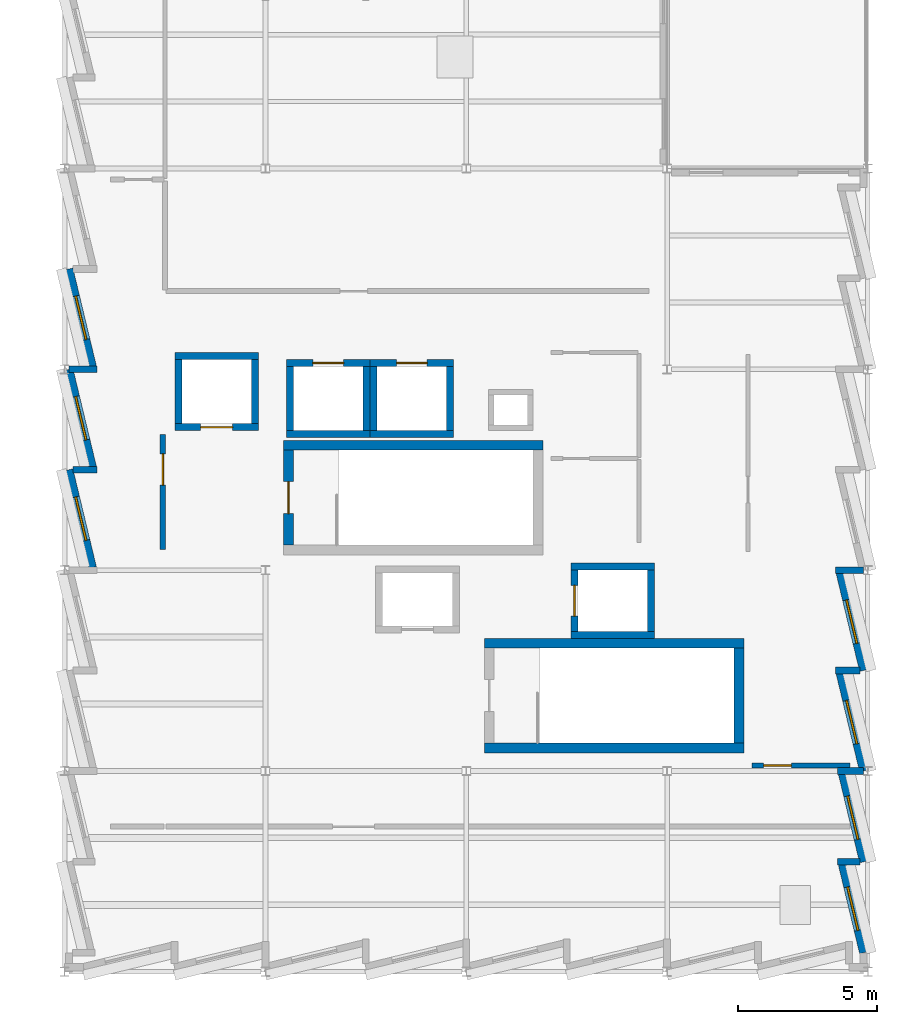
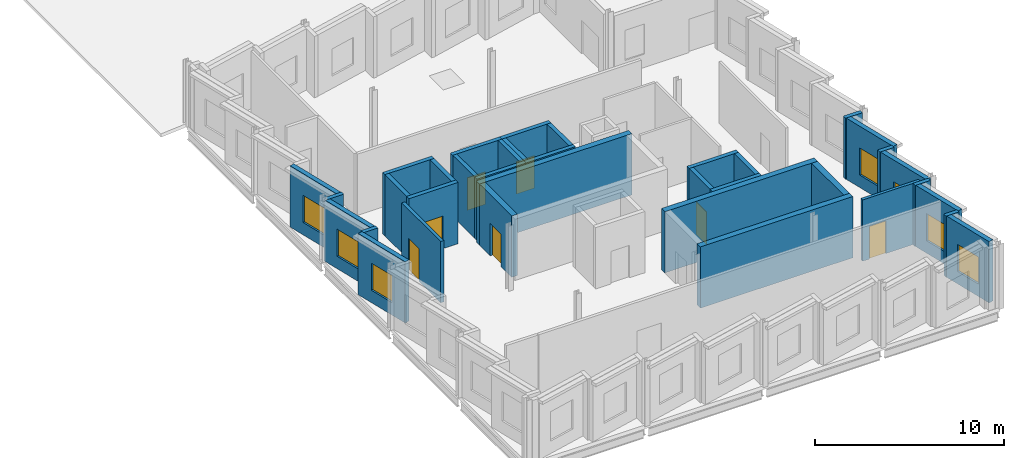
# One storey, part 6 of 9: 36 walls, 7 doors, 7 windows, 14 openings.
"""IFC4 building model written with IfcOpenShell, lengths in metres."""

from ifc_helpers import new_model, si_unit, direction, frame, frame_2d, origin, place, context, subcontext, project, spatial, rectangle, extrude, material, layer, layer_set, type_object, element, fill, save


model = new_model("IFC4")

# Units and contexts
model_context = context("Model", 3, precision=1e-05, world=origin(), true_north=direction((0.0, 1.0)))
body_context = subcontext(model_context, "Body", "Model", "MODEL_VIEW")
ifc_project = project(units=[si_unit("LENGTHUNIT", "METRE"), si_unit("AREAUNIT", "SQUARE_METRE"), si_unit("VOLUMEUNIT", "CUBIC_METRE"), si_unit("PLANEANGLEUNIT", "RADIAN"), si_unit("MASSUNIT", "GRAM", prefix="KILO")], contexts=[model_context])

# Site, building, storey
site_placement = place(None, origin())
site = spatial("IfcSite", under=ifc_project, at=site_placement, CompositionType="ELEMENT")
building_placement = place(site_placement, origin())
building = spatial("IfcBuilding", under=site, at=building_placement, Name="Kalmorath City Hall", CompositionType="ELEMENT")
storey_placement = place(building_placement, frame((0.0, 0.0, 31.050048828125)))
storey = spatial("IfcBuildingStorey", under=building, at=storey_placement, Name="L07", CompositionType="ELEMENT", Elevation=31.050048828125)

# Wall
ifc_material_1 = material(Name="Concrete C50/60", Category="concrete")
ifc_layer_1 = layer(ifc_material_1, 0.35009765625)
ifc_layer_set_1 = layer_set([ifc_layer_1], Name="Concrete C50/60")
wall_type_1 = type_object("IfcWallType", Name="Concrete core shear wall 350", PredefinedType="SHEAR", material=ifc_layer_set_1)
wall_1_placement = place(storey_placement, frame((17.14990234375, 18.875, 0.0), z_axis=(0.0, 0.0, 1.0), x_axis=(-1.0, 0.0, 0.0)))
element("IfcWall", 1, at=wall_1_placement, inside=storey, type_object=wall_type_1, Name="L07 C1 stair core shear wall N", PredefinedType="SHEAR", context=body_context, shape_type="SweptSolid", body=[
    extrude(rectangle(XDim=9.2998046875, YDim=0.35009765625, at=frame_2d((4.64990234375, 0.0))), origin(), (0.0, 0.0, 1.0), 3.949951171875),
])

# Wall, opening, door
wall_2_placement = place(storey_placement, frame((8.02490234375, 18.699951171875, 0.0), z_axis=(0.0, 0.0, 1.0), x_axis=(0.0, -1.0, 0.0)))
wall_2 = element("IfcWall", 2, at=wall_2_placement, inside=storey, type_object=wall_type_1, Name="L07 C1 stair core shear wall W", PredefinedType="SHEAR", context=body_context, shape_type="SweptSolid", body=[
    extrude(rectangle(XDim=3.39990234375, YDim=0.35009765625, at=frame_2d((1.699951171875, 0.0))), origin(), (0.0, 0.0, 1.0), 3.949951171875),
])
opening_1_placement = place(wall_2_placement, frame((1.125, 0.0, 0.0)))
opening_1 = element("IfcOpeningElement", 3, at=opening_1_placement, cuts=wall_2, Name="Opening D-L07-009", PredefinedType="OPENING", context=body_context, shape_type="SweptSolid", body=[
    extrude(rectangle(XDim=1.14990234375, YDim=2.10009765625, at=frame_2d((0.574951171875, 1.050048828125))), frame((0.0, 0.18505859375, 0.0), z_axis=(0.0, -1.0, 0.0), x_axis=(1.0, 0.0, 0.0)), (0.0, 0.0, 1.0), 0.3701171875),
])
ifc_material_2 = material(Name="Galvanised steel fire door", Category="steel")
door_type_1 = type_object("IfcDoorType", Name="Stair enclosure 90-min fire door 1150x2100", OperationType="NOTDEFINED", PredefinedType="DOOR", material=ifc_material_2)
door_1_placement = place(opening_1_placement, frame((1.14990234375, 0.0, 0.0), z_axis=(0.0, 0.0, 1.0), x_axis=(-1.0, 0.0, 0.0)))
door_1 = element("IfcDoor", 4, at=door_1_placement, inside=storey, type_object=door_type_1, Name="L07 door D-L07-009", OperationType="SINGLE_SWING_LEFT", OverallHeight=2.10009765625, OverallWidth=1.14990234375, PredefinedType="DOOR", context=body_context, shape_type="SweptSolid", body=[
    extrude(rectangle(XDim=1.14990234375, YDim=2.10009765625, at=frame_2d((0.574951171875, 1.050048828125))), frame((0.0, 0.02490234375, 0.0), z_axis=(0.0, -1.0, 0.0), x_axis=(1.0, 0.0, 0.0)), (0.0, 0.0, 1.0), 0.050048828125),
])
fill(opening_1, door_1)

# Walls
for number, where, z_axis, x_axis, name in (
    (5, (15.050048828125, 8.02490234375, 0.0), (0.0, 0.0, 1.0), (1.0, 0.0, 0.0), "L07 C2 stair core shear wall S"),
    (6, (24.35009765625, 11.77490234375, 0.0), (0.0, 0.0, 1.0), (-1.0, 0.0, 0.0), "L07 C2 stair core shear wall N"),
):
    element("IfcWall", number, at=place(storey_placement, frame(where, z_axis=z_axis, x_axis=x_axis)), inside=storey, type_object=wall_type_1, Name=name, PredefinedType="SHEAR", context=body_context, shape_type="SweptSolid", body=[
        extrude(rectangle(XDim=9.300048828125, YDim=0.35009765625, at=frame_2d((4.64990234375, 0.0))), origin(), (0.0, 0.0, 1.0), 3.949951171875),
    ])
wall_3_placement = place(storey_placement, frame((24.175048828125, 8.199951171875, 0.0), z_axis=(0.0, 0.0, 1.0), x_axis=(0.0, 1.0, 0.0)))
element("IfcWall", 7, at=wall_3_placement, inside=storey, type_object=wall_type_1, Name="L07 C2 stair core shear wall E", PredefinedType="SHEAR", context=body_context, shape_type="SweptSolid", body=[
    extrude(rectangle(XDim=3.400146484375, YDim=0.35009765625, at=frame_2d((1.7001953125, 0.0))), origin(), (0.0, 0.0, 1.0), 3.949951171875),
])

# Wall, opening, door
ifc_material_3 = material(Name="Concrete C50/60", Category="concrete")
ifc_layer_2 = layer(ifc_material_3, 0.25)
ifc_layer_set_2 = layer_set([ifc_layer_2], Name="Concrete C50/60")
wall_type_2 = type_object("IfcWallType", Name="Concrete lift shaft wall 250", PredefinedType="SHEAR", material=ifc_layer_set_2)
wall_4_placement = place(storey_placement, frame((3.949951171875, 19.52490234375, 0.0), z_axis=(0.0, 0.0, 1.0), x_axis=(1.0, 0.0, 0.0)))
wall_4 = element("IfcWall", 8, at=wall_4_placement, inside=storey, type_object=wall_type_2, Name="L07 FL1 lift shaft wall -y", PredefinedType="SHEAR", context=body_context, shape_type="SweptSolid", body=[
    extrude(rectangle(XDim=3.0, YDim=0.25, at=frame_2d((1.5, 0.0))), origin(), (0.0, 0.0, 1.0), 3.949951171875),
])
opening_2_placement = place(wall_4_placement, frame((0.925048828125, 0.0, 0.0)))
opening_2 = element("IfcOpeningElement", 9, at=opening_2_placement, cuts=wall_4, Name="Opening LD-018", PredefinedType="OPENING", context=body_context, shape_type="SweptSolid", body=[
    extrude(rectangle(XDim=1.14990234375, YDim=2.10009765625, at=frame_2d((0.574951171875, 1.050048828125))), frame((0.0, 0.135009765625, 0.0), z_axis=(0.0, -1.0, 0.0), x_axis=(1.0, 0.0, 0.0)), (0.0, 0.0, 1.0), 0.27001953125),
])
ifc_material_4 = material(Name="Stainless steel sliding landing door", Category="steel")
door_type_2 = type_object("IfcDoorType", Name="Firefighting lift sliding landing door 1150x2100", OperationType="SLIDING_TO_RIGHT", PredefinedType="DOOR", material=ifc_material_4)
door_2_placement = place(opening_2_placement, origin())
door_2 = element("IfcDoor", 10, at=door_2_placement, inside=storey, type_object=door_type_2, Name="L07 door LD-018", OperationType="SLIDING_TO_RIGHT", OverallHeight=2.10009765625, OverallWidth=1.14990234375, PredefinedType="DOOR", context=body_context, shape_type="SweptSolid", body=[
    extrude(rectangle(XDim=1.14990234375, YDim=2.10009765625, at=frame_2d((0.574951171875, 1.050048828125))), frame((0.0, 0.02490234375, 0.0), z_axis=(0.0, -1.0, 0.0), x_axis=(1.0, 0.0, 0.0)), (0.0, 0.0, 1.0), 0.050048828125),
])
fill(opening_2, door_2)

# Walls
wall_5_placement = place(storey_placement, frame((6.949951171875, 22.074951171875, 0.0), z_axis=(0.0, 0.0, 1.0), x_axis=(-1.0, 0.0, 0.0)))
element("IfcWall", 11, at=wall_5_placement, inside=storey, type_object=wall_type_2, Name="L07 FL1 lift shaft wall +y", PredefinedType="SHEAR", context=body_context, shape_type="SweptSolid", body=[
    extrude(rectangle(XDim=3.0, YDim=0.25, at=frame_2d((1.5, 0.0))), origin(), (0.0, 0.0, 1.0), 3.949951171875),
])
for number, where, z_axis, x_axis, name in (
    (12, (4.074951171875, 21.949951171875, 0.0), (0.0, 0.0, 1.0), (0.0, -1.0, 0.0), "L07 FL1 lift shaft wall -x"),
    (13, (6.824951171875, 19.64990234375, 0.0), (0.0, 0.0, 1.0), (0.0, 1.0, 0.0), "L07 FL1 lift shaft wall +x"),
):
    element("IfcWall", number, at=place(storey_placement, frame(where, z_axis=z_axis, x_axis=x_axis)), inside=storey, type_object=wall_type_2, Name=name, PredefinedType="SHEAR", context=body_context, shape_type="SweptSolid", body=[
        extrude(rectangle(XDim=2.300048828125, YDim=0.25, at=frame_2d((1.14990234375, 0.0))), origin(), (0.0, 0.0, 1.0), 3.949951171875),
    ])
wall_6_placement = place(storey_placement, frame((7.949951171875, 19.27490234375, 0.0), z_axis=(0.0, 0.0, 1.0), x_axis=(1.0, 0.0, 0.0)))
element("IfcWall", 14, at=wall_6_placement, inside=storey, type_object=wall_type_2, Name="L07 PL1 lift shaft wall -y", PredefinedType="SHEAR", context=body_context, shape_type="SweptSolid", body=[
    extrude(rectangle(XDim=3.0, YDim=0.25, at=frame_2d((1.5, 0.0))), origin(), (0.0, 0.0, 1.0), 3.949951171875),
])

# Wall, opening, door
wall_7_placement = place(storey_placement, frame((10.949951171875, 21.824951171875, 0.0), z_axis=(0.0, 0.0, 1.0), x_axis=(-1.0, 0.0, 0.0)))
wall_7 = element("IfcWall", 15, at=wall_7_placement, inside=storey, type_object=wall_type_2, Name="L07 PL1 lift shaft wall +y", PredefinedType="SHEAR", context=body_context, shape_type="SweptSolid", body=[
    extrude(rectangle(XDim=3.0, YDim=0.25, at=frame_2d((1.5, 0.0))), origin(), (0.0, 0.0, 1.0), 3.949951171875),
])
opening_3_placement = place(wall_7_placement, frame((0.949951171875, 0.0, 0.0)))
opening_3 = element("IfcOpeningElement", 16, at=opening_3_placement, cuts=wall_7, Name="Opening LD-027", PredefinedType="OPENING", context=body_context, shape_type="SweptSolid", body=[
    extrude(rectangle(XDim=1.10009765625, YDim=2.10009765625, at=frame_2d((0.550048828125, 1.050048828125))), frame((0.0, 0.135009765625, 0.0), z_axis=(0.0, -1.0, 0.0), x_axis=(1.0, 0.0, 0.0)), (0.0, 0.0, 1.0), 0.27001953125),
])
ifc_material_5 = material(Name="Stainless steel sliding landing door", Category="steel")
door_type_3 = type_object("IfcDoorType", Name="Passenger lift sliding landing door 1100x2100", OperationType="SLIDING_TO_LEFT", PredefinedType="DOOR", material=ifc_material_5)
door_3_placement = place(opening_3_placement, origin())
door_3 = element("IfcDoor", 17, at=door_3_placement, inside=storey, type_object=door_type_3, Name="L07 door LD-027", OperationType="SLIDING_TO_LEFT", OverallHeight=2.10009765625, OverallWidth=1.10009765625, PredefinedType="DOOR", context=body_context, shape_type="SweptSolid", body=[
    extrude(rectangle(XDim=1.10009765625, YDim=2.10009765625, at=frame_2d((0.550048828125, 1.050048828125))), frame((0.0, 0.02490234375, 0.0), z_axis=(0.0, -1.0, 0.0), x_axis=(1.0, 0.0, 0.0)), (0.0, 0.0, 1.0), 0.050048828125),
])
fill(opening_3, door_3)

# Walls
for number, where, z_axis, x_axis, name in (
    (18, (8.074951171875, 21.699951171875, 0.0), (0.0, 0.0, 1.0), (0.0, -1.0, 0.0), "L07 PL1 lift shaft wall -x"),
    (19, (10.824951171875, 19.39990234375, 0.0), (0.0, 0.0, 1.0), (0.0, 1.0, 0.0), "L07 PL1 lift shaft wall +x"),
):
    element("IfcWall", number, at=place(storey_placement, frame(where, z_axis=z_axis, x_axis=x_axis)), inside=storey, type_object=wall_type_2, Name=name, PredefinedType="SHEAR", context=body_context, shape_type="SweptSolid", body=[
        extrude(rectangle(XDim=2.300048828125, YDim=0.25, at=frame_2d((1.14990234375, 0.0))), origin(), (0.0, 0.0, 1.0), 3.949951171875),
    ])
wall_8_placement = place(storey_placement, frame((10.949951171875, 19.27490234375, 0.0), z_axis=(0.0, 0.0, 1.0), x_axis=(1.0, 0.0, 0.0)))
element("IfcWall", 20, at=wall_8_placement, inside=storey, type_object=wall_type_2, Name="L07 PL2 lift shaft wall -y", PredefinedType="SHEAR", context=body_context, shape_type="SweptSolid", body=[
    extrude(rectangle(XDim=3.0, YDim=0.25, at=frame_2d((1.5, 0.0))), origin(), (0.0, 0.0, 1.0), 3.949951171875),
])

# Wall, opening, door
wall_9_placement = place(storey_placement, frame((13.949951171875, 21.824951171875, 0.0), z_axis=(0.0, 0.0, 1.0), x_axis=(-1.0, 0.0, 0.0)))
wall_9 = element("IfcWall", 21, at=wall_9_placement, inside=storey, type_object=wall_type_2, Name="L07 PL2 lift shaft wall +y", PredefinedType="SHEAR", context=body_context, shape_type="SweptSolid", body=[
    extrude(rectangle(XDim=3.0, YDim=0.25, at=frame_2d((1.5, 0.0))), origin(), (0.0, 0.0, 1.0), 3.949951171875),
])
opening_4_placement = place(wall_9_placement, frame((0.949951171875, 0.0, 0.0)))
opening_4 = element("IfcOpeningElement", 22, at=opening_4_placement, cuts=wall_9, Name="Opening LD-036", PredefinedType="OPENING", context=body_context, shape_type="SweptSolid", body=[
    extrude(rectangle(XDim=1.10009765625, YDim=2.10009765625, at=frame_2d((0.550048828125, 1.050048828125))), frame((0.0, 0.135009765625, 0.0), z_axis=(0.0, -1.0, 0.0), x_axis=(1.0, 0.0, 0.0)), (0.0, 0.0, 1.0), 0.27001953125),
])
door_4_placement = place(opening_4_placement, origin())
door_4 = element("IfcDoor", 23, at=door_4_placement, inside=storey, type_object=door_type_3, Name="L07 door LD-036", OperationType="SLIDING_TO_LEFT", OverallHeight=2.10009765625, OverallWidth=1.10009765625, PredefinedType="DOOR", context=body_context, shape_type="SweptSolid", body=[
    extrude(rectangle(XDim=1.10009765625, YDim=2.10009765625, at=frame_2d((0.550048828125, 1.050048828125))), frame((0.0, 0.02490234375, 0.0), z_axis=(0.0, -1.0, 0.0), x_axis=(1.0, 0.0, 0.0)), (0.0, 0.0, 1.0), 0.050048828125),
])
fill(opening_4, door_4)

# Walls
for number, where, z_axis, x_axis, name in (
    (24, (11.074951171875, 21.699951171875, 0.0), (0.0, 0.0, 1.0), (0.0, -1.0, 0.0), "L07 PL2 lift shaft wall -x"),
    (25, (13.824951171875, 19.39990234375, 0.0), (0.0, 0.0, 1.0), (0.0, 1.0, 0.0), "L07 PL2 lift shaft wall +x"),
):
    element("IfcWall", number, at=place(storey_placement, frame(where, z_axis=z_axis, x_axis=x_axis)), inside=storey, type_object=wall_type_2, Name=name, PredefinedType="SHEAR", context=body_context, shape_type="SweptSolid", body=[
        extrude(rectangle(XDim=2.300048828125, YDim=0.25, at=frame_2d((1.14990234375, 0.0))), origin(), (0.0, 0.0, 1.0), 3.949951171875),
    ])
for number, where, z_axis, x_axis, name in (
    (26, (18.14990234375, 12.074951171875, 0.0), (0.0, 0.0, 1.0), (1.0, 0.0, 0.0), "L07 PL3 lift shaft wall -y"),
    (27, (21.14990234375, 14.52490234375, 0.0), (0.0, 0.0, 1.0), (-1.0, 0.0, 0.0), "L07 PL3 lift shaft wall +y"),
):
    element("IfcWall", number, at=place(storey_placement, frame(where, z_axis=z_axis, x_axis=x_axis)), inside=storey, type_object=wall_type_2, Name=name, PredefinedType="SHEAR", context=body_context, shape_type="SweptSolid", body=[
        extrude(rectangle(XDim=3.0, YDim=0.25, at=frame_2d((1.5, 0.0))), origin(), (0.0, 0.0, 1.0), 3.949951171875),
    ])

# Wall, opening, door
wall_10_placement = place(storey_placement, frame((18.27490234375, 14.39990234375, 0.0), z_axis=(0.0, 0.0, 1.0), x_axis=(0.0, -1.0, 0.0)))
wall_10 = element("IfcWall", 28, at=wall_10_placement, inside=storey, type_object=wall_type_2, Name="L07 PL3 lift shaft wall -x", PredefinedType="SHEAR", context=body_context, shape_type="SweptSolid", body=[
    extrude(rectangle(XDim=2.199951171875, YDim=0.25, at=frame_2d((1.10009765625, 0.0))), origin(), (0.0, 0.0, 1.0), 3.949951171875),
])
opening_5_placement = place(wall_10_placement, frame((0.550048828125, 0.0, 0.0)))
opening_5 = element("IfcOpeningElement", 29, at=opening_5_placement, cuts=wall_10, Name="Opening LD-063", PredefinedType="OPENING", context=body_context, shape_type="SweptSolid", body=[
    extrude(rectangle(XDim=1.10009765625, YDim=2.10009765625, at=frame_2d((0.550048828125, 1.050048828125))), frame((0.0, 0.135009765625, 0.0), z_axis=(0.0, -1.0, 0.0), x_axis=(1.0, 0.0, 0.0)), (0.0, 0.0, 1.0), 0.27001953125),
])
door_5_placement = place(opening_5_placement, origin())
door_5 = element("IfcDoor", 30, at=door_5_placement, inside=storey, type_object=door_type_3, Name="L07 door LD-063", OperationType="SLIDING_TO_LEFT", OverallHeight=2.10009765625, OverallWidth=1.10009765625, PredefinedType="DOOR", context=body_context, shape_type="SweptSolid", body=[
    extrude(rectangle(XDim=1.10009765625, YDim=2.10009765625, at=frame_2d((0.550048828125, 1.050048828125))), frame((0.0, 0.02490234375, 0.0), z_axis=(0.0, -1.0, 0.0), x_axis=(1.0, 0.0, 0.0)), (0.0, 0.0, 1.0), 0.050048828125),
])
fill(opening_5, door_5)

# Wall
wall_11_placement = place(storey_placement, frame((21.02490234375, 12.199951171875, 0.0), z_axis=(0.0, 0.0, 1.0), x_axis=(0.0, 1.0, 0.0)))
element("IfcWall", 31, at=wall_11_placement, inside=storey, type_object=wall_type_2, Name="L07 PL3 lift shaft wall +x", PredefinedType="SHEAR", context=body_context, shape_type="SweptSolid", body=[
    extrude(rectangle(XDim=2.199951171875, YDim=0.25, at=frame_2d((1.10009765625, 0.0))), origin(), (0.0, 0.0, 1.0), 3.949951171875),
])

# Wall, opening, door
ifc_material_6 = material(Name="Fire-rated acoustic gypsum partition")
ifc_layer_3 = layer(ifc_material_6, 0.179931640625)
ifc_layer_set_3 = layer_set([ifc_layer_3], Name="Fire-rated acoustic gypsum partition")
wall_type_3 = type_object("IfcWallType", Name="One-hour corridor fire partition 180", PredefinedType="PARTITIONING", material=ifc_layer_set_3)
wall_12_placement = place(storey_placement, frame((24.639892578125, 7.39990234375, 0.0), z_axis=(0.0, 0.0, 1.0), x_axis=(1.0, 0.0, 0.0)))
wall_12 = element("IfcWall", 32, at=wall_12_placement, inside=storey, type_object=wall_type_3, Name="L07 interior partition PW2 #207", PredefinedType="PARTITIONING", context=body_context, shape_type="SweptSolid", body=[
    extrude(rectangle(XDim=3.52001953125, YDim=0.179931640625, at=frame_2d((1.760009765625, 0.0))), origin(), (0.0, 0.0, 1.0), 3.949951171875),
])
opening_6_placement = place(wall_12_placement, frame((0.419921875, 0.0, 0.0)))
opening_6 = element("IfcOpeningElement", 33, at=opening_6_placement, cuts=wall_12, Name="Opening D-L07-273", PredefinedType="OPENING", context=body_context, shape_type="SweptSolid", body=[
    extrude(rectangle(XDim=1.0, YDim=2.10009765625, at=frame_2d((0.5, 1.050048828125))), frame((0.0, 0.099853515625, 0.0), z_axis=(0.0, -1.0, 0.0), x_axis=(1.0, 0.0, 0.0)), (0.0, 0.0, 1.0), 0.199951171875),
])
ifc_material_7 = material(Name="Hardwood fire door", Category="wood")
door_type_4 = type_object("IfcDoorType", Name="Corridor 60-min fire door 1000x2100", OperationType="NOTDEFINED", PredefinedType="DOOR", material=ifc_material_7)
door_6_placement = place(opening_6_placement, origin())
door_6 = element("IfcDoor", 34, at=door_6_placement, inside=storey, type_object=door_type_4, Name="L07 door D-L07-273", OperationType="SINGLE_SWING_LEFT", OverallHeight=2.10009765625, OverallWidth=1.0, PredefinedType="DOOR", context=body_context, shape_type="SweptSolid", body=[
    extrude(rectangle(XDim=1.0, YDim=2.10009765625, at=frame_2d((0.5, 1.050048828125))), frame((0.0, 0.02490234375, 0.0), z_axis=(0.0, -1.0, 0.0), x_axis=(1.0, 0.0, 0.0)), (0.0, 0.0, 1.0), 0.050048828125),
])
fill(opening_6, door_6)

# Walls
ifc_material_8 = material(Name="Precast concrete C40/50", Category="concrete")
ifc_layer_4 = layer(ifc_material_8, 0.239990234375)
ifc_layer_set_4 = layer_set([ifc_layer_4], Name="Precast concrete C40/50")
wall_type_4 = type_object("IfcWallType", Name="Precast sawtooth cheek wall 240", PredefinedType="SOLIDWALL", material=ifc_layer_set_4)
wall_13_placement = place(storey_placement, frame((27.71240234375, 3.93994140625, 0.0), z_axis=(0.0, 0.0, 1.0), x_axis=(1.0, 0.0, 0.0)))
element("IfcWall", 35, at=wall_13_placement, inside=storey, type_object=wall_type_4, Name="L07 sawtooth return cheek #1068", PredefinedType="SOLIDWALL", context=body_context, shape_type="SweptSolid", body=[
    extrude(rectangle(XDim=0.795654296875, YDim=0.239990234375, at=frame_2d((0.39794921875, 0.0))), origin(), (0.0, 0.0, 1.0), 3.949951171875),
])
wall_14_placement = place(storey_placement, frame((27.71240234375, 7.199951171875, 0.0), z_axis=(0.0, 0.0, 1.0), x_axis=(1.0, 0.0, 0.0)))
element("IfcWall", 36, at=wall_14_placement, inside=storey, type_object=wall_type_4, Name="L07 sawtooth return cheek #1070", PredefinedType="SOLIDWALL", context=body_context, shape_type="SweptSolid", body=[
    extrude(rectangle(XDim=0.93310546875, YDim=0.239990234375, at=frame_2d((0.466552734375, 0.0))), origin(), (0.0, 0.0, 1.0), 3.949951171875),
])
wall_15_placement = place(storey_placement, frame((27.630615234375, 10.800048828125, 0.0), z_axis=(0.0, 0.0, 1.0), x_axis=(1.0, 0.0, 0.0)))
element("IfcWall", 37, at=wall_15_placement, inside=storey, type_object=wall_type_4, Name="L07 sawtooth return cheek #1072", PredefinedType="SOLIDWALL", context=body_context, shape_type="SweptSolid", body=[
    extrude(rectangle(XDim=0.87744140625, YDim=0.239990234375, at=frame_2d((0.438720703125, 0.0))), origin(), (0.0, 0.0, 1.0), 3.949951171875),
])
wall_16_placement = place(storey_placement, frame((27.630615234375, 14.39990234375, 0.0), z_axis=(0.0, 0.0, 1.0), x_axis=(1.0, 0.0, 0.0)))
element("IfcWall", 38, at=wall_16_placement, inside=storey, type_object=wall_type_4, Name="L07 sawtooth return cheek #1074", PredefinedType="SOLIDWALL", context=body_context, shape_type="SweptSolid", body=[
    extrude(rectangle(XDim=1.014892578125, YDim=0.239990234375, at=frame_2d((0.50732421875, 0.0))), origin(), (0.0, 0.0, 1.0), 3.949951171875),
])
wall_17_placement = place(storey_placement, frame((1.169189453125, 21.60009765625, 0.0), z_axis=(0.0, 0.0, 1.0), x_axis=(-1.0, 0.0, 0.0)))
element("IfcWall", 39, at=wall_17_placement, inside=storey, type_object=wall_type_4, Name="L07 sawtooth return cheek #1108", PredefinedType="SOLIDWALL", context=body_context, shape_type="SweptSolid", body=[
    extrude(rectangle(XDim=1.0146484375, YDim=0.239990234375, at=frame_2d((0.50732421875, 0.0))), origin(), (0.0, 0.0, 1.0), 3.949951171875),
])
wall_18_placement = place(storey_placement, frame((1.169189453125, 18.0, 0.0), z_axis=(0.0, 0.0, 1.0), x_axis=(-1.0, 0.0, 0.0)))
element("IfcWall", 40, at=wall_18_placement, inside=storey, type_object=wall_type_4, Name="L07 sawtooth return cheek #1110", PredefinedType="SOLIDWALL", context=body_context, shape_type="SweptSolid", body=[
    extrude(rectangle(XDim=0.877197265625, YDim=0.239990234375, at=frame_2d((0.4384765625, 0.0))), origin(), (0.0, 0.0, 1.0), 3.949951171875),
])

# Wall, opening, window
ifc_material_9 = material(Name="Precast concrete C40/50", Category="concrete")
ifc_layer_5 = layer(ifc_material_9, 0.280029296875)
ifc_layer_set_5 = layer_set([ifc_layer_5], Name="Precast concrete C40/50")
wall_type_5 = type_object("IfcWallType", Name="Precast sawtooth facade wall 280", PredefinedType="SOLIDWALL", material=ifc_layer_set_5)
wall_19_placement = place(storey_placement, frame((28.639892578125, 0.679931640625, 0.0), z_axis=(0.0, 0.0, 1.0), x_axis=(-0.233443812137, 0.972370292931, 0.0)))
wall_19 = element("IfcWall", 41, at=wall_19_placement, inside=storey, type_object=wall_type_5, Name="L07 sawtooth precast frame #1067", PredefinedType="SOLIDWALL", context=body_context, shape_type="SweptSolid", body=[
    extrude(rectangle(XDim=3.2578125, YDim=0.280029296875, at=frame_2d((1.62890625, 0.0))), origin(), (0.0, 0.0, 1.0), 3.949951171875),
])
opening_7_placement = place(wall_19_placement, frame((0.828857421875, 0.0, 0.800048828125)))
opening_7 = element("IfcOpeningElement", 42, at=opening_7_placement, cuts=wall_19, Name="Opening WN3", PredefinedType="OPENING", context=body_context, shape_type="SweptSolid", body=[
    extrude(rectangle(XDim=1.60009765625, YDim=1.75, at=frame_2d((0.800048828125, 0.875))), frame((0.0, 0.14990234375, 0.0), z_axis=(0.0, -1.0, 0.0), x_axis=(1.0, 0.0, 0.0)), (0.0, 0.0, 1.0), 0.300048828125),
])
ifc_material_10 = material(Name="Aluminium and laminated glass", Category="aluminium")
window_type = type_object("IfcWindowType", Name="Sawtooth upper window 1600x1750", PartitioningType="SINGLE_PANEL", PredefinedType="WINDOW", material=ifc_material_10)
window_1_placement = place(opening_7_placement, origin())
window_1 = element("IfcWindow", 43, at=window_1_placement, inside=storey, type_object=window_type, Name="L07 window WN3-544", OverallHeight=1.75, OverallWidth=1.60009765625, PartitioningType="SINGLE_PANEL", PredefinedType="WINDOW", context=body_context, shape_type="SweptSolid", body=[
    extrude(rectangle(XDim=1.60009765625, YDim=1.75, at=frame_2d((0.800048828125, 0.875))), frame((0.0, 0.030029296875, 0.0), z_axis=(0.0, -1.0, 0.0), x_axis=(1.0, 0.0, 0.0)), (0.0, 0.0, 1.0), 0.06005859375),
])
fill(opening_7, window_1)

wall_20_placement = place(storey_placement, frame((28.639892578125, 3.93994140625, 0.0), z_axis=(0.0, 0.0, 1.0), x_axis=(-0.233443812137, 0.972370292931, 0.0)))
wall_20 = element("IfcWall", 44, at=wall_20_placement, inside=storey, type_object=wall_type_5, Name="L07 sawtooth precast frame #1069", PredefinedType="SOLIDWALL", context=body_context, shape_type="SweptSolid", body=[
    extrude(rectangle(XDim=3.2578125, YDim=0.280029296875, at=frame_2d((1.62890625, 0.0))), origin(), (0.0, 0.0, 1.0), 3.949951171875),
])
opening_8_placement = place(wall_20_placement, frame((0.828857421875, 0.0, 0.800048828125)))
opening_8 = element("IfcOpeningElement", 45, at=opening_8_placement, cuts=wall_20, Name="Opening WN3", PredefinedType="OPENING", context=body_context, shape_type="SweptSolid", body=[
    extrude(rectangle(XDim=1.60009765625, YDim=1.75, at=frame_2d((0.800048828125, 0.875))), frame((0.0, 0.14990234375, 0.0), z_axis=(0.0, -1.0, 0.0), x_axis=(1.0, 0.0, 0.0)), (0.0, 0.0, 1.0), 0.300048828125),
])
window_2_placement = place(opening_8_placement, origin())
window_2 = element("IfcWindow", 46, at=window_2_placement, inside=storey, type_object=window_type, Name="L07 window WN3-545", OverallHeight=1.75, OverallWidth=1.60009765625, PartitioningType="SINGLE_PANEL", PredefinedType="WINDOW", context=body_context, shape_type="SweptSolid", body=[
    extrude(rectangle(XDim=1.60009765625, YDim=1.75, at=frame_2d((0.800048828125, 0.875))), frame((0.0, 0.030029296875, 0.0), z_axis=(0.0, -1.0, 0.0), x_axis=(1.0, 0.0, 0.0)), (0.0, 0.0, 1.0), 0.06005859375),
])
fill(opening_8, window_2)

wall_21_placement = place(storey_placement, frame((28.639892578125, 7.199951171875, 0.0), z_axis=(0.0, 0.0, 1.0), x_axis=(-0.233431827365, 0.972373170122, 0.0)))
wall_21 = element("IfcWall", 47, at=wall_21_placement, inside=storey, type_object=wall_type_5, Name="L07 sawtooth precast frame #1071", PredefinedType="SOLIDWALL", context=body_context, shape_type="SweptSolid", body=[
    extrude(rectangle(XDim=3.607177734375, YDim=0.280029296875, at=frame_2d((1.8037109375, 0.0))), origin(), (0.0, 0.0, 1.0), 3.949951171875),
])
opening_9_placement = place(wall_21_placement, frame((1.003662109375, 0.0, 0.800048828125)))
opening_9 = element("IfcOpeningElement", 48, at=opening_9_placement, cuts=wall_21, Name="Opening WN3", PredefinedType="OPENING", context=body_context, shape_type="SweptSolid", body=[
    extrude(rectangle(XDim=1.60009765625, YDim=1.75, at=frame_2d((0.800048828125, 0.875))), frame((0.0, 0.14990234375, 0.0), z_axis=(0.0, -1.0, 0.0), x_axis=(1.0, 0.0, 0.0)), (0.0, 0.0, 1.0), 0.300048828125),
])
window_3_placement = place(opening_9_placement, origin())
window_3 = element("IfcWindow", 49, at=window_3_placement, inside=storey, type_object=window_type, Name="L07 window WN3-546", OverallHeight=1.75, OverallWidth=1.60009765625, PartitioningType="SINGLE_PANEL", PredefinedType="WINDOW", context=body_context, shape_type="SweptSolid", body=[
    extrude(rectangle(XDim=1.60009765625, YDim=1.75, at=frame_2d((0.800048828125, 0.875))), frame((0.0, 0.030029296875, 0.0), z_axis=(0.0, -1.0, 0.0), x_axis=(1.0, 0.0, 0.0)), (0.0, 0.0, 1.0), 0.06005859375),
])
fill(opening_9, window_3)

wall_22_placement = place(storey_placement, frame((28.639892578125, 10.800048828125, 0.0), z_axis=(0.0, 0.0, 1.0), x_axis=(-0.233431827365, 0.972373170122, 0.0)))
wall_22 = element("IfcWall", 50, at=wall_22_placement, inside=storey, type_object=wall_type_5, Name="L07 sawtooth precast frame #1073", PredefinedType="SOLIDWALL", context=body_context, shape_type="SweptSolid", body=[
    extrude(rectangle(XDim=3.607177734375, YDim=0.280029296875, at=frame_2d((1.8037109375, 0.0))), origin(), (0.0, 0.0, 1.0), 3.949951171875),
])
opening_10_placement = place(wall_22_placement, frame((1.003662109375, 0.0, 0.800048828125)))
opening_10 = element("IfcOpeningElement", 51, at=opening_10_placement, cuts=wall_22, Name="Opening WN3", PredefinedType="OPENING", context=body_context, shape_type="SweptSolid", body=[
    extrude(rectangle(XDim=1.60009765625, YDim=1.75, at=frame_2d((0.800048828125, 0.875))), frame((0.0, 0.14990234375, 0.0), z_axis=(0.0, -1.0, 0.0), x_axis=(1.0, 0.0, 0.0)), (0.0, 0.0, 1.0), 0.300048828125),
])
window_4_placement = place(opening_10_placement, origin())
window_4 = element("IfcWindow", 52, at=window_4_placement, inside=storey, type_object=window_type, Name="L07 window WN3-547", OverallHeight=1.75, OverallWidth=1.60009765625, PartitioningType="SINGLE_PANEL", PredefinedType="WINDOW", context=body_context, shape_type="SweptSolid", body=[
    extrude(rectangle(XDim=1.60009765625, YDim=1.75, at=frame_2d((0.800048828125, 0.875))), frame((0.0, 0.030029296875, 0.0), z_axis=(0.0, -1.0, 0.0), x_axis=(1.0, 0.0, 0.0)), (0.0, 0.0, 1.0), 0.06005859375),
])
fill(opening_10, window_4)

wall_23_placement = place(storey_placement, frame((0.159912109375, 25.199951171875, 0.0), z_axis=(0.0, 0.0, 1.0), x_axis=(0.233495818898, -0.972357805829, 0.0)))
wall_23 = element("IfcWall", 53, at=wall_23_placement, inside=storey, type_object=wall_type_5, Name="L07 sawtooth precast frame #1107", PredefinedType="SOLIDWALL", context=body_context, shape_type="SweptSolid", body=[
    extrude(rectangle(XDim=3.607177734375, YDim=0.280029296875, at=frame_2d((1.8037109375, 0.0))), origin(), (0.0, 0.0, 1.0), 3.949951171875),
])
opening_11_placement = place(wall_23_placement, frame((1.003662109375, 0.0, 0.800048828125)))
opening_11 = element("IfcOpeningElement", 54, at=opening_11_placement, cuts=wall_23, Name="Opening WN3", PredefinedType="OPENING", context=body_context, shape_type="SweptSolid", body=[
    extrude(rectangle(XDim=1.60009765625, YDim=1.75, at=frame_2d((0.800048828125, 0.875))), frame((0.0, 0.14990234375, 0.0), z_axis=(0.0, -1.0, 0.0), x_axis=(1.0, 0.0, 0.0)), (0.0, 0.0, 1.0), 0.300048828125),
])
window_5_placement = place(opening_11_placement, origin())
window_5 = element("IfcWindow", 55, at=window_5_placement, inside=storey, type_object=window_type, Name="L07 window WN3-563", OverallHeight=1.75, OverallWidth=1.60009765625, PartitioningType="SINGLE_PANEL", PredefinedType="WINDOW", context=body_context, shape_type="SweptSolid", body=[
    extrude(rectangle(XDim=1.60009765625, YDim=1.75, at=frame_2d((0.800048828125, 0.875))), frame((0.0, 0.030029296875, 0.0), z_axis=(0.0, -1.0, 0.0), x_axis=(1.0, 0.0, 0.0)), (0.0, 0.0, 1.0), 0.06005859375),
])
fill(opening_11, window_5)

wall_24_placement = place(storey_placement, frame((0.159912109375, 21.60009765625, 0.0), z_axis=(0.0, 0.0, 1.0), x_axis=(0.233480453725, -0.972361495396, 0.0)))
wall_24 = element("IfcWall", 56, at=wall_24_placement, inside=storey, type_object=wall_type_5, Name="L07 sawtooth precast frame #1109", PredefinedType="SOLIDWALL", context=body_context, shape_type="SweptSolid", body=[
    extrude(rectangle(XDim=3.607421875, YDim=0.280029296875, at=frame_2d((1.8037109375, 0.0))), origin(), (0.0, 0.0, 1.0), 3.949951171875),
])
opening_12_placement = place(wall_24_placement, frame((1.003662109375, 0.0, 0.800048828125)))
opening_12 = element("IfcOpeningElement", 57, at=opening_12_placement, cuts=wall_24, Name="Opening WN3", PredefinedType="OPENING", context=body_context, shape_type="SweptSolid", body=[
    extrude(rectangle(XDim=1.60009765625, YDim=1.75, at=frame_2d((0.800048828125, 0.875))), frame((0.0, 0.14990234375, 0.0), z_axis=(0.0, -1.0, 0.0), x_axis=(1.0, 0.0, 0.0)), (0.0, 0.0, 1.0), 0.300048828125),
])
window_6_placement = place(opening_12_placement, origin())
window_6 = element("IfcWindow", 58, at=window_6_placement, inside=storey, type_object=window_type, Name="L07 window WN3-564", OverallHeight=1.75, OverallWidth=1.60009765625, PartitioningType="SINGLE_PANEL", PredefinedType="WINDOW", context=body_context, shape_type="SweptSolid", body=[
    extrude(rectangle(XDim=1.60009765625, YDim=1.75, at=frame_2d((0.800048828125, 0.875))), frame((0.0, 0.030029296875, 0.0), z_axis=(0.0, -1.0, 0.0), x_axis=(1.0, 0.0, 0.0)), (0.0, 0.0, 1.0), 0.06005859375),
])
fill(opening_12, window_6)

wall_25_placement = place(storey_placement, frame((0.159912109375, 18.0, 0.0), z_axis=(0.0, 0.0, 1.0), x_axis=(0.233495818898, -0.972357805829, 0.0)))
wall_25 = element("IfcWall", 59, at=wall_25_placement, inside=storey, type_object=wall_type_5, Name="L07 sawtooth precast frame #1111", PredefinedType="SOLIDWALL", context=body_context, shape_type="SweptSolid", body=[
    extrude(rectangle(XDim=3.607177734375, YDim=0.280029296875, at=frame_2d((1.8037109375, 0.0))), origin(), (0.0, 0.0, 1.0), 3.949951171875),
])
opening_13_placement = place(wall_25_placement, frame((1.003662109375, 0.0, 0.800048828125)))
opening_13 = element("IfcOpeningElement", 60, at=opening_13_placement, cuts=wall_25, Name="Opening WN3", PredefinedType="OPENING", context=body_context, shape_type="SweptSolid", body=[
    extrude(rectangle(XDim=1.60009765625, YDim=1.75, at=frame_2d((0.800048828125, 0.875))), frame((0.0, 0.14990234375, 0.0), z_axis=(0.0, -1.0, 0.0), x_axis=(1.0, 0.0, 0.0)), (0.0, 0.0, 1.0), 0.300048828125),
])
window_7_placement = place(opening_13_placement, origin())
window_7 = element("IfcWindow", 61, at=window_7_placement, inside=storey, type_object=window_type, Name="L07 window WN3-565", OverallHeight=1.75, OverallWidth=1.60009765625, PartitioningType="SINGLE_PANEL", PredefinedType="WINDOW", context=body_context, shape_type="SweptSolid", body=[
    extrude(rectangle(XDim=1.60009765625, YDim=1.75, at=frame_2d((0.800048828125, 0.875))), frame((0.0, 0.030029296875, 0.0), z_axis=(0.0, -1.0, 0.0), x_axis=(1.0, 0.0, 0.0)), (0.0, 0.0, 1.0), 0.06005859375),
])
fill(opening_13, window_7)

# Wall, opening, door
ifc_material_11 = material(Name="Gypsum fire-rated shaftliner partition")
ifc_layer_6 = layer(ifc_material_11, 0.199951171875)
ifc_layer_set_6 = layer_set([ifc_layer_6], Name="Gypsum fire-rated shaftliner partition")
wall_type_6 = type_object("IfcWallType", Name="Two-hour fire barrier partition 200", PredefinedType="PARTITIONING", material=ifc_layer_set_6)
wall_26_placement = place(storey_placement, frame((3.52490234375, 15.139892578125, 0.0), z_axis=(0.0, 0.0, 1.0), x_axis=(0.0, 1.0, 0.0)))
wall_26 = element("IfcWall", 62, at=wall_26_placement, inside=storey, type_object=wall_type_6, Name="L07 interior partition PW1 #200", PredefinedType="PARTITIONING", context=body_context, shape_type="SweptSolid", body=[
    extrude(rectangle(XDim=4.1201171875, YDim=0.199951171875, at=frame_2d((2.06005859375, 0.0))), origin(), (0.0, 0.0, 1.0), 3.949951171875),
])
opening_14_placement = place(wall_26_placement, frame((2.31005859375, 0.0, 0.0)))
opening_14 = element("IfcOpeningElement", 63, at=opening_14_placement, cuts=wall_26, Name="Opening D-L07-271", PredefinedType="OPENING", context=body_context, shape_type="SweptSolid", body=[
    extrude(rectangle(XDim=1.1201171875, YDim=2.10009765625, at=frame_2d((0.56005859375, 1.050048828125))), frame((0.0, 0.10986328125, 0.0), z_axis=(0.0, -1.0, 0.0), x_axis=(1.0, 0.0, 0.0)), (0.0, 0.0, 1.0), 0.219970703125),
])
ifc_material_12 = material(Name="Galvanised steel fire door", Category="steel")
door_type_5 = type_object("IfcDoorType", Name="Firefighting lobby 90-min fire door 1120x2100", OperationType="NOTDEFINED", PredefinedType="DOOR", material=ifc_material_12)
door_7_placement = place(opening_14_placement, origin())
door_7 = element("IfcDoor", 64, at=door_7_placement, inside=storey, type_object=door_type_5, Name="L07 door D-L07-271", OperationType="SINGLE_SWING_LEFT", OverallHeight=2.10009765625, OverallWidth=1.1201171875, PredefinedType="DOOR", context=body_context, shape_type="SweptSolid", body=[
    extrude(rectangle(XDim=1.1201171875, YDim=2.10009765625, at=frame_2d((0.56005859375, 1.050048828125))), frame((0.0, 0.02490234375, 0.0), z_axis=(0.0, -1.0, 0.0), x_axis=(1.0, 0.0, 0.0)), (0.0, 0.0, 1.0), 0.050048828125),
])
fill(opening_14, door_7)

save(model, "model.ifc")
